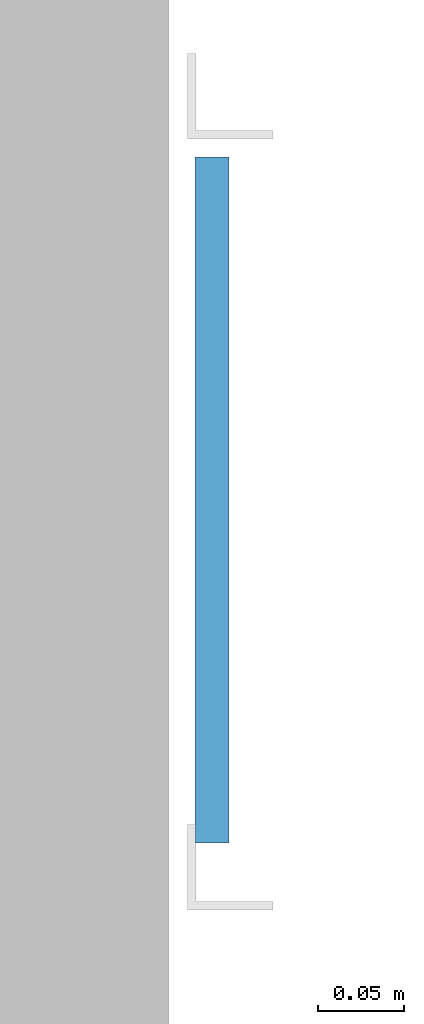
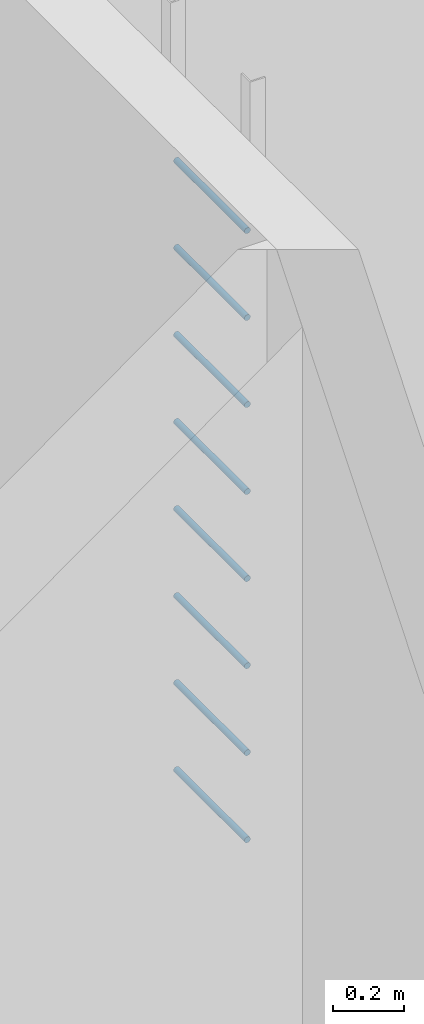
# One storey, part 18 of 33: 8 members.
"""IFC4 building model written with IfcOpenShell, lengths in metres."""

from ifc_helpers import new_model, si_unit, direction, frame, origin, origin_2d, place, context, subcontext, project, spatial, circle, extrude, material, material_profile, profile_set, type_object, element, save


model = new_model("IFC4")

# Units and contexts
model_context = context("Model", 3, precision=1e-05, world=origin(), true_north=direction((0.0, 1.0)))
body_context = subcontext(model_context, "Body", "Model", "MODEL_VIEW")
ifc_project = project(units=[si_unit("LENGTHUNIT", "METRE"), si_unit("AREAUNIT", "SQUARE_METRE"), si_unit("VOLUMEUNIT", "CUBIC_METRE"), si_unit("PLANEANGLEUNIT", "RADIAN"), si_unit("MASSUNIT", "GRAM", prefix="KILO")], contexts=[model_context])

# Site, building, storey
site_placement = place(None, origin())
site = spatial("IfcSite", under=ifc_project, at=site_placement, CompositionType="ELEMENT")
building_placement = place(site_placement, origin())
building = spatial("IfcBuilding", under=site, at=building_placement, Name="Ridgestep Commons", CompositionType="ELEMENT")
storey_placement = place(building_placement, frame((0.0, 0.0, 42.0)))
storey = spatial("IfcBuildingStorey", under=building, at=storey_placement, Name="L14", CompositionType="ELEMENT", Elevation=42.0)

# Members
ifc_material = material(Name="Structural steel S355JR", Category="steel")
ifc_material_profile = material_profile(ifc_material, circle(Radius=0.010009765625, at=origin_2d()), Name="Round bar 20")
ifc_profile_set = profile_set([ifc_material_profile], Name="Structural steel S355JR")
member_type = type_object("IfcMemberType", Name="Core ladder rung 20", PredefinedType="STRINGER", material=ifc_profile_set)
for number, where, z_axis, x_axis, name in (
    (1, (233.800048828125, 21.64990234375, 0.300048828125), (0.0, 1.0, 0.0), (-1.0, 0.0, 0.0), "Ladder rung D6C.1"),
    (2, (233.800048828125, 21.64990234375, 0.60009765625), (0.0, 1.0, 0.0), (-1.0, 0.0, 0.0), "Ladder rung D6C.2"),
    (3, (233.800048828125, 21.64990234375, 0.89990234375), (0.0, 1.0, 0.0), (-1.0, 0.0, 0.0), "Ladder rung D6C.3"),
    (4, (233.800048828125, 21.64990234375, 1.199951171875), (0.0, 1.0, 0.0), (-1.0, 0.0, 0.0), "Ladder rung D6C.4"),
    (5, (233.800048828125, 21.64990234375, 1.5), (0.0, 1.0, 0.0), (-1.0, 0.0, 0.0), "Ladder rung D6C.5"),
    (6, (233.800048828125, 21.64990234375, 1.800048828125), (0.0, 1.0, 0.0), (-1.0, 0.0, 0.0), "Ladder rung D6C.6"),
    (7, (233.800048828125, 21.64990234375, 2.10009765625), (0.0, 1.0, 0.0), (-1.0, 0.0, 0.0), "Ladder rung D6C.7"),
    (8, (233.800048828125, 21.64990234375, 2.39990234375), (0.0, 1.0, 0.0), (-1.0, 0.0, 0.0), "Ladder rung D6C.8"),
):
    element("IfcMember", number, at=place(storey_placement, frame(where, z_axis=z_axis, x_axis=x_axis)), inside=storey, type_object=member_type, Name=name, PredefinedType="STRINGER", context=body_context, shape_type="SweptSolid", body=[
        extrude(circle(Radius=0.010009765625, at=origin_2d()), origin(), (0.0, 0.0, 1.0), 0.400146484375),
    ])

save(model, "model.ifc")
